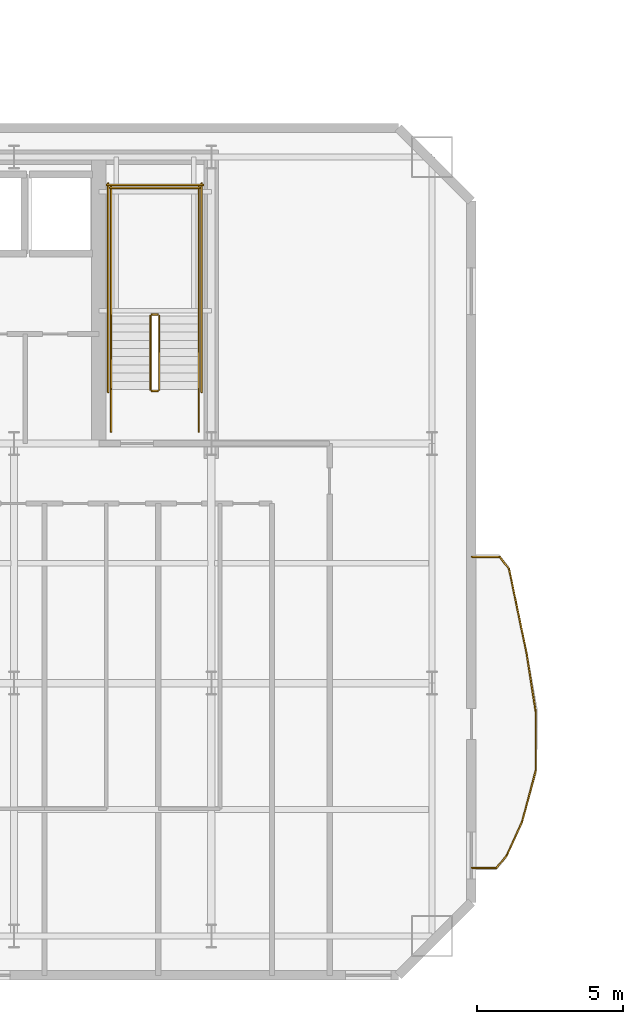
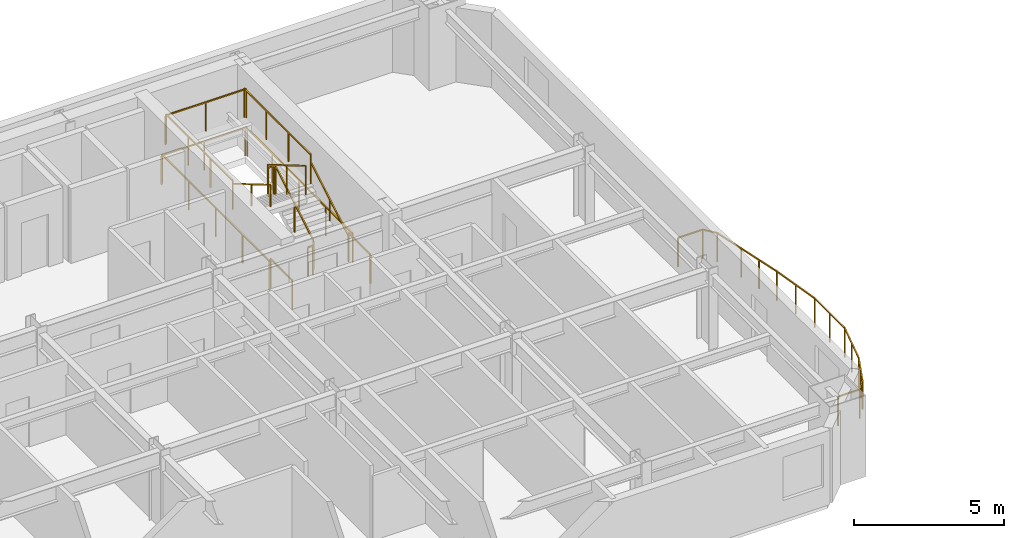
# One storey, part 12 of 14: 24 railings.
"""IFC4 building model written with IfcOpenShell, lengths in metres."""

from ifc_helpers import new_model, si_unit, direction, frame, origin, origin_2d, place, context, subcontext, project, spatial, rectangle, extrude, material, type_object, element, save


model = new_model("IFC4")

# Units and contexts
model_context = context("Model", 3, precision=1e-05, world=origin(), true_north=direction((0.0, 1.0)))
body_context = subcontext(model_context, "Body", "Model", "MODEL_VIEW")
ifc_project = project(units=[si_unit("LENGTHUNIT", "METRE"), si_unit("AREAUNIT", "SQUARE_METRE"), si_unit("VOLUMEUNIT", "CUBIC_METRE"), si_unit("PLANEANGLEUNIT", "RADIAN"), si_unit("MASSUNIT", "GRAM", prefix="KILO")], contexts=[model_context])

# Site, building, storey
site_placement = place(None, origin())
site = spatial("IfcSite", under=ifc_project, at=site_placement, CompositionType="ELEMENT")
building_placement = place(site_placement, origin())
building = spatial("IfcBuilding", under=site, at=building_placement, Name="Haevon Station Towers", CompositionType="ELEMENT")
storey_placement = place(building_placement, frame((0.0, 0.0, 116.39990234375)))
storey = spatial("IfcBuildingStorey", under=building, at=storey_placement, Name="L31", CompositionType="ELEMENT", Elevation=116.39990234375)

# Railings
ifc_material = material(Name="Steel S355", Category="steel")
railing_type_1 = type_object("IfcRailingType", Name="GRD-EXT1200", PredefinedType="GUARDRAIL", material=ifc_material)
railing_1_placement = place(storey_placement, frame((59.92333984375, 23.677978515625, 0.0)))
element("IfcRailing", 1, at=railing_1_placement, inside=storey, type_object=railing_type_1, Name="L31 Perimeter Guardrail 1", PredefinedType="GUARDRAIL", context=body_context, shape_type="SweptSolid", body=[
    extrude(rectangle(XDim=0.048095703125, YDim=0.048095703125, at=origin_2d()), frame((0.0, 0.0, 1.17578125), z_axis=(0.999997919967, 0.002039622797, 0.0), x_axis=(-0.002039622797, 0.999997919967, 0.0)), (0.0, 0.0, 1.0), 0.837890625),
    extrude(rectangle(XDim=0.0419921875, YDim=0.0419921875, at=origin_2d()), origin(), (0.0, 0.0, 1.0), 1.15185546875),
    extrude(rectangle(XDim=0.0419921875, YDim=0.0419921875, at=origin_2d()), frame((0.837890625, 0.001708984375, 0.0)), (0.0, 0.0, 1.0), 1.15185546875),
])
railing_2_placement = place(storey_placement, frame((60.76123046875, 23.6796875, 0.0)))
element("IfcRailing", 2, at=railing_2_placement, inside=storey, type_object=railing_type_1, Name="L31 Perimeter Guardrail 2", PredefinedType="GUARDRAIL", context=body_context, shape_type="SweptSolid", body=[
    extrude(rectangle(XDim=0.048095703125, YDim=0.048095703125, at=origin_2d()), frame((0.0, 0.0, 1.17578125), z_axis=(0.639870328751, 0.768482896611, 0.0), x_axis=(-0.768482896611, 0.639870328751, 0.0)), (0.0, 0.0, 1.0), 0.535400390625),
    extrude(rectangle(XDim=0.0419921875, YDim=0.0419921875, at=origin_2d()), origin(), (0.0, 0.0, 1.0), 1.15185546875),
    extrude(rectangle(XDim=0.0419921875, YDim=0.0419921875, at=origin_2d()), frame((0.342529296875, 0.411376953125, 0.0)), (0.0, 0.0, 1.0), 1.15185546875),
])
railing_3_placement = place(storey_placement, frame((61.103759765625, 24.091064453125, 0.0)))
element("IfcRailing", 3, at=railing_3_placement, inside=storey, type_object=railing_type_1, Name="L31 Perimeter Guardrail 3", PredefinedType="GUARDRAIL", context=body_context, shape_type="SweptSolid", body=[
    extrude(rectangle(XDim=0.048095703125, YDim=0.048095703125, at=origin_2d()), frame((0.0, 0.0, 1.17578125), z_axis=(0.415661077418, 0.909519581273, 0.0), x_axis=(-0.909519581273, 0.415661077418, 0.0)), (0.0, 0.0, 1.0), 1.286376953125),
    extrude(rectangle(XDim=0.0419921875, YDim=0.0419921875, at=origin_2d()), origin(), (0.0, 0.0, 1.0), 1.15185546875),
    extrude(rectangle(XDim=0.0419921875, YDim=0.0419921875, at=origin_2d()), frame((0.267333984375, 0.5849609375, 0.0)), (0.0, 0.0, 1.0), 1.15185546875),
    extrude(rectangle(XDim=0.0419921875, YDim=0.0419921875, at=origin_2d()), frame((0.53466796875, 1.169921875, 0.0)), (0.0, 0.0, 1.0), 1.15185546875),
])
railing_4_placement = place(storey_placement, frame((61.638427734375, 25.260986328125, 0.0)))
element("IfcRailing", 4, at=railing_4_placement, inside=storey, type_object=railing_type_1, Name="L31 Perimeter Guardrail 4", PredefinedType="GUARDRAIL", context=body_context, shape_type="SweptSolid", body=[
    extrude(rectangle(XDim=0.048095703125, YDim=0.048095703125, at=origin_2d()), frame((0.0, 0.0, 1.17578125), z_axis=(0.257140906123, 0.966373920591, 0.0), x_axis=(-0.966373920591, 0.257140906123, 0.0)), (0.0, 0.0, 1.0), 1.805908203125),
    extrude(rectangle(XDim=0.0419921875, YDim=0.0419921875, at=origin_2d()), origin(), (0.0, 0.0, 1.0), 1.15185546875),
    extrude(rectangle(XDim=0.0419921875, YDim=0.0419921875, at=origin_2d()), frame((0.232177734375, 0.87255859375, 0.0)), (0.0, 0.0, 1.0), 1.15185546875),
    extrude(rectangle(XDim=0.0419921875, YDim=0.0419921875, at=origin_2d()), frame((0.46435546875, 1.7451171875, 0.0)), (0.0, 0.0, 1.0), 1.15185546875),
])
railing_5_placement = place(storey_placement, frame((62.102783203125, 27.006103515625, 0.0)))
element("IfcRailing", 5, at=railing_5_placement, inside=storey, type_object=railing_type_1, Name="L31 Perimeter Guardrail 5", PredefinedType="GUARDRAIL", context=body_context, shape_type="SweptSolid", body=[
    extrude(rectangle(XDim=0.048095703125, YDim=0.048095703125, at=origin_2d()), frame((0.0, 0.0, 1.17578125), z_axis=(0.000857107558, 0.999999632683, 0.0), x_axis=(-0.999999632683, 0.000857107558, 0.0)), (0.0, 0.0, 1.0), 1.993896484375),
    extrude(rectangle(XDim=0.0419921875, YDim=0.0419921875, at=origin_2d()), origin(), (0.0, 0.0, 1.0), 1.15185546875),
    extrude(rectangle(XDim=0.0419921875, YDim=0.0419921875, at=origin_2d()), frame((0.0009765625, 0.9970703125, 0.0)), (0.0, 0.0, 1.0), 1.15185546875),
    extrude(rectangle(XDim=0.0419921875, YDim=0.0419921875, at=origin_2d()), frame((0.001708984375, 1.993896484375, 0.0)), (0.0, 0.0, 1.0), 1.15185546875),
])
railing_6_placement = place(storey_placement, frame((62.1044921875, 29.0, 0.0)))
element("IfcRailing", 6, at=railing_6_placement, inside=storey, type_object=railing_type_1, Name="L31 Perimeter Guardrail 6", PredefinedType="GUARDRAIL", context=body_context, shape_type="SweptSolid", body=[
    extrude(rectangle(XDim=0.048095703125, YDim=0.048095703125, at=origin_2d()), frame((0.0, 0.0, 1.17578125), z_axis=(-0.153359781656, 0.988170419194, 0.0), x_axis=(-0.988170419194, -0.153359781656, 0.0)), (0.0, 0.0, 1.0), 2.013916015625),
    extrude(rectangle(XDim=0.0419921875, YDim=0.0419921875, at=origin_2d()), origin(), (0.0, 0.0, 1.0), 1.15185546875),
    extrude(rectangle(XDim=0.0419921875, YDim=0.0419921875, at=origin_2d()), frame((-0.154296875, 0.9951171875, 0.0)), (0.0, 0.0, 1.0), 1.15185546875),
    extrude(rectangle(XDim=0.0419921875, YDim=0.0419921875, at=origin_2d()), frame((-0.308837890625, 1.989990234375, 0.0)), (0.0, 0.0, 1.0), 1.15185546875),
])
railing_7_placement = place(storey_placement, frame((61.795654296875, 30.989990234375, 0.0)))
element("IfcRailing", 7, at=railing_7_placement, inside=storey, type_object=railing_type_1, Name="L31 Perimeter Guardrail 7", PredefinedType="GUARDRAIL", context=body_context, shape_type="SweptSolid", body=[
    extrude(rectangle(XDim=0.048095703125, YDim=0.048095703125, at=origin_2d()), frame((0.0, 0.0, 1.17578125), z_axis=(-0.203550270134, 0.979064496103, 0.0), x_axis=(-0.979064496103, -0.203550270134, 0.0)), (0.0, 0.0, 1.0), 1.785888671875),
    extrude(rectangle(XDim=0.0419921875, YDim=0.0419921875, at=origin_2d()), origin(), (0.0, 0.0, 1.0), 1.15185546875),
    extrude(rectangle(XDim=0.0419921875, YDim=0.0419921875, at=origin_2d()), frame((-0.181640625, 0.874267578125, 0.0)), (0.0, 0.0, 1.0), 1.15185546875),
    extrude(rectangle(XDim=0.0419921875, YDim=0.0419921875, at=origin_2d()), frame((-0.363525390625, 1.74853515625, 0.0)), (0.0, 0.0, 1.0), 1.15185546875),
])
railing_8_placement = place(storey_placement, frame((61.43212890625, 32.738525390625, 0.0)))
element("IfcRailing", 8, at=railing_8_placement, inside=storey, type_object=railing_type_1, Name="L31 Perimeter Guardrail 8", PredefinedType="GUARDRAIL", context=body_context, shape_type="SweptSolid", body=[
    extrude(rectangle(XDim=0.048095703125, YDim=0.048095703125, at=origin_2d()), frame((0.0, 0.0, 1.17578125), z_axis=(-0.202240814384, 0.97933582238, 0.0), x_axis=(-0.97933582238, -0.202240814384, 0.0)), (0.0, 0.0, 1.0), 1.195068359375),
    extrude(rectangle(XDim=0.0419921875, YDim=0.0419921875, at=origin_2d()), origin(), (0.0, 0.0, 1.0), 1.15185546875),
    extrude(rectangle(XDim=0.0419921875, YDim=0.0419921875, at=origin_2d()), frame((-0.24169921875, 1.17041015625, 0.0)), (0.0, 0.0, 1.0), 1.15185546875),
])
railing_9_placement = place(storey_placement, frame((61.1904296875, 33.908935546875, 0.0)))
element("IfcRailing", 9, at=railing_9_placement, inside=storey, type_object=railing_type_1, Name="L31 Perimeter Guardrail 9", PredefinedType="GUARDRAIL", context=body_context, shape_type="SweptSolid", body=[
    extrude(rectangle(XDim=0.048095703125, YDim=0.048095703125, at=origin_2d()), frame((0.0, 0.0, 1.17578125), z_axis=(-0.61835728621, 0.785897109417, 0.0), x_axis=(-0.785897109417, -0.61835728621, 0.0)), (0.0, 0.0, 1.0), 0.523193359375),
    extrude(rectangle(XDim=0.0419921875, YDim=0.0419921875, at=origin_2d()), origin(), (0.0, 0.0, 1.0), 1.15185546875),
    extrude(rectangle(XDim=0.0419921875, YDim=0.0419921875, at=origin_2d()), frame((-0.323486328125, 0.4111328125, 0.0)), (0.0, 0.0, 1.0), 1.15185546875),
])
railing_10_placement = place(storey_placement, frame((60.866943359375, 34.320068359375, 0.0)))
element("IfcRailing", 10, at=railing_10_placement, inside=storey, type_object=railing_type_1, Name="L31 Perimeter Guardrail 10", PredefinedType="GUARDRAIL", context=body_context, shape_type="SweptSolid", body=[
    extrude(rectangle(XDim=0.048095703125, YDim=0.048095703125, at=origin_2d()), frame((0.0, 0.0, 1.17578125), z_axis=(-0.999997857851, 0.002069853263, 0.0), x_axis=(-0.002069853263, -0.999997857851, 0.0)), (0.0, 0.0, 1.0), 0.943603515625),
    extrude(rectangle(XDim=0.0419921875, YDim=0.0419921875, at=origin_2d()), origin(), (0.0, 0.0, 1.0), 1.15185546875),
    extrude(rectangle(XDim=0.0419921875, YDim=0.0419921875, at=origin_2d()), frame((-0.943603515625, 0.001953125, 0.0)), (0.0, 0.0, 1.0), 1.15185546875),
])
railing_type_2 = type_object("IfcRailingType", Name="GRD-STR1200", PredefinedType="GUARDRAIL", material=ifc_material)
railing_11_placement = place(storey_placement, frame((49.219970703125, 40.050048828125, 0.1650390625)))
element("IfcRailing", 11, at=railing_11_placement, inside=storey, type_object=railing_type_2, Name="L31 ST2 Stair Guard 1", PredefinedType="GUARDRAIL", context=body_context, shape_type="SweptSolid", body=[
    extrude(rectangle(XDim=0.048095703125, YDim=0.048095703125, at=origin_2d()), frame((0.0, 0.0, 1.17578125), z_axis=(0.0, 0.86152411907, 0.507716645641), x_axis=(-1.0, 0.0, 0.0)), (0.0, 0.0, 1.0), 2.925048828125),
    extrude(rectangle(XDim=0.0419921875, YDim=0.0419921875, at=origin_2d()), origin(), (0.0, 0.0, 1.0), 1.15185546875),
    extrude(rectangle(XDim=0.0419921875, YDim=0.0419921875, at=origin_2d()), frame((0.0, 1.260009765625, 0.74267578125)), (0.0, 0.0, 1.0), 1.15185546875),
    extrude(rectangle(XDim=0.0419921875, YDim=0.0419921875, at=origin_2d()), frame((0.0, 2.52001953125, 1.485107421875)), (0.0, 0.0, 1.0), 1.15185546875),
])
railing_12_placement = place(storey_placement, frame((49.169921875, 42.6201171875, 1.650146484375)))
element("IfcRailing", 12, at=railing_12_placement, inside=storey, type_object=railing_type_2, Name="L31 ST2 Stair Guard 2", PredefinedType="GUARDRAIL", context=body_context, shape_type="SweptSolid", body=[
    extrude(rectangle(XDim=0.048095703125, YDim=0.048095703125, at=origin_2d()), frame((0.0, 0.0, 1.17578125), z_axis=(-1.0, 0.0, 0.0), x_axis=(0.0, -1.0, 0.0)), (0.0, 0.0, 1.0), 0.199951171875),
    extrude(rectangle(XDim=0.0419921875, YDim=0.0419921875, at=origin_2d()), origin(), (0.0, 0.0, 1.0), 1.15185546875),
    extrude(rectangle(XDim=0.0419921875, YDim=0.0419921875, at=origin_2d()), frame((-0.199951171875, 0.0, 0.0)), (0.0, 0.0, 1.0), 1.15185546875),
])
for number, where, name in (
    (13, (50.570068359375, 42.570068359375, 1.650146484375), "L31 ST2 Stair Guard 3"),
    (14, (47.570068359375, 42.570068359375, 1.650146484375), "L31 ST2 Stair Guard 4"),
):
    element("IfcRailing", number, at=place(storey_placement, frame(where)), inside=storey, type_object=railing_type_2, Name=name, PredefinedType="GUARDRAIL", context=body_context, shape_type="SweptSolid", body=[
        extrude(rectangle(XDim=0.048095703125, YDim=0.048095703125, at=origin_2d()), frame((0.0, 0.0, 1.17578125), z_axis=(0.0, 1.0, 0.0), x_axis=(-1.0, 0.0, 0.0)), (0.0, 0.0, 1.0), 4.429931640625),
        extrude(rectangle(XDim=0.0419921875, YDim=0.0419921875, at=origin_2d()), origin(), (0.0, 0.0, 1.0), 1.15185546875),
        extrude(rectangle(XDim=0.0419921875, YDim=0.0419921875, at=origin_2d()), frame((0.0, 1.4765625, 0.0)), (0.0, 0.0, 1.0), 1.15185546875),
        extrude(rectangle(XDim=0.0419921875, YDim=0.0419921875, at=origin_2d()), frame((0.0, 2.953369140625, 0.0)), (0.0, 0.0, 1.0), 1.15185546875),
        extrude(rectangle(XDim=0.0419921875, YDim=0.0419921875, at=origin_2d()), frame((0.0, 4.429931640625, 0.0)), (0.0, 0.0, 1.0), 1.15185546875),
    ])
railing_13_placement = place(storey_placement, frame((50.6201171875, 46.949951171875, 1.650146484375)))
element("IfcRailing", 15, at=railing_13_placement, inside=storey, type_object=railing_type_2, Name="L31 ST2 Stair Guard 5", PredefinedType="GUARDRAIL", context=body_context, shape_type="SweptSolid", body=[
    extrude(rectangle(XDim=0.048095703125, YDim=0.048095703125, at=origin_2d()), frame((0.0, 0.0, 1.17578125), z_axis=(-1.0, 0.0, 0.0), x_axis=(0.0, -1.0, 0.0)), (0.0, 0.0, 1.0), 3.10009765625),
    extrude(rectangle(XDim=0.0419921875, YDim=0.0419921875, at=origin_2d()), origin(), (0.0, 0.0, 1.0), 1.15185546875),
    extrude(rectangle(XDim=0.0419921875, YDim=0.0419921875, at=origin_2d()), frame((-1.550048828125, 0.0, 0.0)), (0.0, 0.0, 1.0), 1.15185546875),
    extrude(rectangle(XDim=0.0419921875, YDim=0.0419921875, at=origin_2d()), frame((-3.10009765625, 0.0, 0.0)), (0.0, 0.0, 1.0), 1.15185546875),
])
railing_14_placement = place(storey_placement, frame((48.919921875, 42.570068359375, 1.815185546875)))
element("IfcRailing", 16, at=railing_14_placement, inside=storey, type_object=railing_type_2, Name="L31 ST2 Stair Guard 6", PredefinedType="GUARDRAIL", context=body_context, shape_type="SweptSolid", body=[
    extrude(rectangle(XDim=0.048095703125, YDim=0.048095703125, at=origin_2d()), frame((0.0, 0.0, 1.17578125), z_axis=(0.0, -0.861560626758, 0.507654692109), x_axis=(1.0, 0.0, 0.0)), (0.0, 0.0, 1.0), 2.925048828125),
    extrude(rectangle(XDim=0.0419921875, YDim=0.0419921875, at=origin_2d()), origin(), (0.0, 0.0, 1.0), 1.15185546875),
    extrude(rectangle(XDim=0.0419921875, YDim=0.0419921875, at=origin_2d()), frame((0.0, -1.260009765625, 0.742431640625)), (0.0, 0.0, 1.0), 1.15185546875),
    extrude(rectangle(XDim=0.0419921875, YDim=0.0419921875, at=origin_2d()), frame((0.0, -2.52001953125, 1.48486328125)), (0.0, 0.0, 1.0), 1.15185546875),
])
railing_15_placement = place(storey_placement, frame((49.169921875, 40.0, 0.0)))
element("IfcRailing", 17, at=railing_15_placement, inside=storey, type_object=railing_type_2, Name="L31 ST2 Stair Guard 7", PredefinedType="GUARDRAIL", context=body_context, shape_type="SweptSolid", body=[
    extrude(rectangle(XDim=0.048095703125, YDim=0.048095703125, at=origin_2d()), frame((0.0, 0.0, 1.17578125), z_axis=(-1.0, 0.0, 0.0), x_axis=(0.0, -1.0, 0.0)), (0.0, 0.0, 1.0), 0.199951171875),
    extrude(rectangle(XDim=0.0419921875, YDim=0.0419921875, at=origin_2d()), origin(), (0.0, 0.0, 1.0), 1.15185546875),
    extrude(rectangle(XDim=0.0419921875, YDim=0.0419921875, at=origin_2d()), frame((-0.199951171875, 0.0, 0.0)), (0.0, 0.0, 1.0), 1.15185546875),
])
for number, where, name in (
    (18, (50.570068359375, 38.60009765625, 0.0), "L31 ST2 Stair Guard 8"),
    (19, (47.570068359375, 38.60009765625, 0.0), "L31 ST2 Stair Guard 9"),
):
    element("IfcRailing", number, at=place(storey_placement, frame(where)), inside=storey, type_object=railing_type_2, Name=name, PredefinedType="GUARDRAIL", context=body_context, shape_type="SweptSolid", body=[
        extrude(rectangle(XDim=0.048095703125, YDim=0.048095703125, at=origin_2d()), frame((0.0, 0.0, 1.17578125), z_axis=(0.0, 1.0, 0.0), x_axis=(-1.0, 0.0, 0.0)), (0.0, 0.0, 1.0), 1.449951171875),
        extrude(rectangle(XDim=0.0419921875, YDim=0.0419921875, at=origin_2d()), origin(), (0.0, 0.0, 1.0), 1.15185546875),
        extrude(rectangle(XDim=0.0419921875, YDim=0.0419921875, at=origin_2d()), frame((0.0, 1.449951171875, 0.0)), (0.0, 0.0, 1.0), 1.15185546875),
    ])
for number, where, name in (
    (20, (50.669921875, 39.949951171875, 0.0), "L31 ST2 Stair Guard 10"),
    (21, (47.469970703125, 39.949951171875, 0.0), "L31 ST2 Stair Guard 11"),
):
    element("IfcRailing", number, at=place(storey_placement, frame(where)), inside=storey, type_object=railing_type_2, Name=name, PredefinedType="GUARDRAIL", context=body_context, shape_type="SweptSolid", body=[
        extrude(rectangle(XDim=0.048095703125, YDim=0.048095703125, at=origin_2d()), frame((0.0, 0.0, 1.17578125), z_axis=(0.0, 1.0, 0.0), x_axis=(-1.0, 0.0, 0.0)), (0.0, 0.0, 1.0), 7.150146484375),
        extrude(rectangle(XDim=0.0419921875, YDim=0.0419921875, at=origin_2d()), origin(), (0.0, 0.0, 1.0), 1.15185546875),
        extrude(rectangle(XDim=0.0419921875, YDim=0.0419921875, at=origin_2d()), frame((0.0, 1.78759765625, 0.0)), (0.0, 0.0, 1.0), 1.15185546875),
        extrude(rectangle(XDim=0.0419921875, YDim=0.0419921875, at=origin_2d()), frame((0.0, 3.5751953125, 0.0)), (0.0, 0.0, 1.0), 1.15185546875),
        extrude(rectangle(XDim=0.0419921875, YDim=0.0419921875, at=origin_2d()), frame((0.0, 5.362548828125, 0.0)), (0.0, 0.0, 1.0), 1.15185546875),
        extrude(rectangle(XDim=0.0419921875, YDim=0.0419921875, at=origin_2d()), frame((0.0, 7.150146484375, 0.0)), (0.0, 0.0, 1.0), 1.15185546875),
    ])
railing_16_placement = place(storey_placement, frame((50.719970703125, 47.050048828125, 0.0)))
element("IfcRailing", 22, at=railing_16_placement, inside=storey, type_object=railing_type_2, Name="L31 ST2 Stair Guard 12", PredefinedType="GUARDRAIL", context=body_context, shape_type="SweptSolid", body=[
    extrude(rectangle(XDim=0.048095703125, YDim=0.048095703125, at=origin_2d()), frame((0.0, 0.0, 1.17578125), z_axis=(-1.0, 0.0, 0.0), x_axis=(0.0, -1.0, 0.0)), (0.0, 0.0, 1.0), 3.300048828125),
    extrude(rectangle(XDim=0.0419921875, YDim=0.0419921875, at=origin_2d()), origin(), (0.0, 0.0, 1.0), 1.15185546875),
    extrude(rectangle(XDim=0.0419921875, YDim=0.0419921875, at=origin_2d()), frame((-1.64990234375, 0.0, 0.0)), (0.0, 0.0, 1.0), 1.15185546875),
    extrude(rectangle(XDim=0.0419921875, YDim=0.0419921875, at=origin_2d()), frame((-3.300048828125, 0.0, 0.0)), (0.0, 0.0, 1.0), 1.15185546875),
])
railing_type_3 = type_object("IfcRailingType", Name="HND-STR900", PredefinedType="HANDRAIL", material=ifc_material)
railing_17_placement = place(storey_placement, frame((50.570068359375, 40.050048828125, 0.1650390625)))
element("IfcRailing", 23, at=railing_17_placement, inside=storey, type_object=railing_type_3, Name="L31 ST2 Stair Handrail 1", PredefinedType="HANDRAIL", context=body_context, shape_type="SweptSolid", body=[
    extrude(rectangle(XDim=0.048095703125, YDim=0.048095703125, at=origin_2d()), frame((0.0, 0.0, 0.8759765625), z_axis=(0.0, 0.86152411907, 0.507716645641), x_axis=(-1.0, 0.0, 0.0)), (0.0, 0.0, 1.0), 2.925048828125),
    extrude(rectangle(XDim=0.0419921875, YDim=0.0419921875, at=origin_2d()), origin(), (0.0, 0.0, 1.0), 0.851806640625),
    extrude(rectangle(XDim=0.0419921875, YDim=0.0419921875, at=origin_2d()), frame((0.0, 1.260009765625, 0.74267578125)), (0.0, 0.0, 1.0), 0.851806640625),
    extrude(rectangle(XDim=0.0419921875, YDim=0.0419921875, at=origin_2d()), frame((0.0, 2.52001953125, 1.485107421875)), (0.0, 0.0, 1.0), 0.851806640625),
])
railing_18_placement = place(storey_placement, frame((47.570068359375, 42.570068359375, 1.815185546875)))
element("IfcRailing", 24, at=railing_18_placement, inside=storey, type_object=railing_type_3, Name="L31 ST2 Stair Handrail 2", PredefinedType="HANDRAIL", context=body_context, shape_type="SweptSolid", body=[
    extrude(rectangle(XDim=0.048095703125, YDim=0.048095703125, at=origin_2d()), frame((0.0, 0.0, 0.8759765625), z_axis=(0.0, -0.861560626758, 0.507654692109), x_axis=(1.0, 0.0, 0.0)), (0.0, 0.0, 1.0), 2.925048828125),
    extrude(rectangle(XDim=0.0419921875, YDim=0.0419921875, at=origin_2d()), origin(), (0.0, 0.0, 1.0), 0.851806640625),
    extrude(rectangle(XDim=0.0419921875, YDim=0.0419921875, at=origin_2d()), frame((0.0, -1.260009765625, 0.742431640625)), (0.0, 0.0, 1.0), 0.851806640625),
    extrude(rectangle(XDim=0.0419921875, YDim=0.0419921875, at=origin_2d()), frame((0.0, -2.52001953125, 1.48486328125)), (0.0, 0.0, 1.0), 0.851806640625),
])

save(model, "model.ifc")
